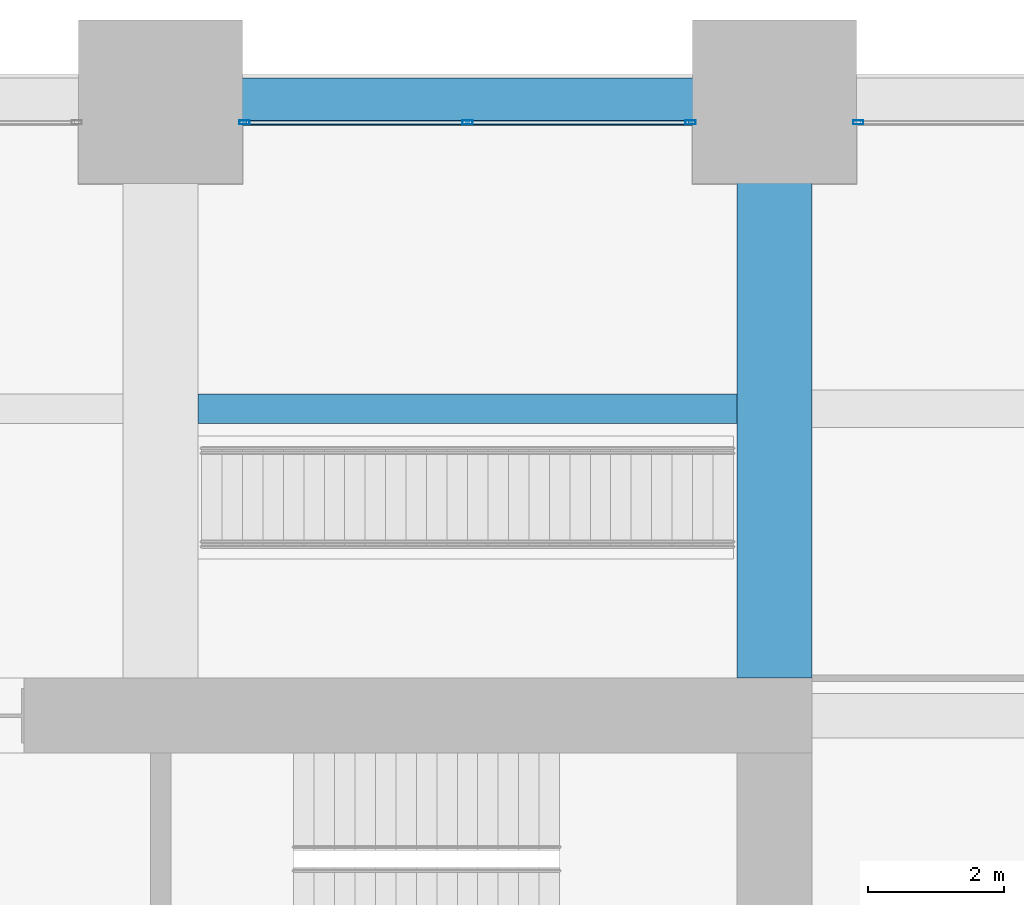
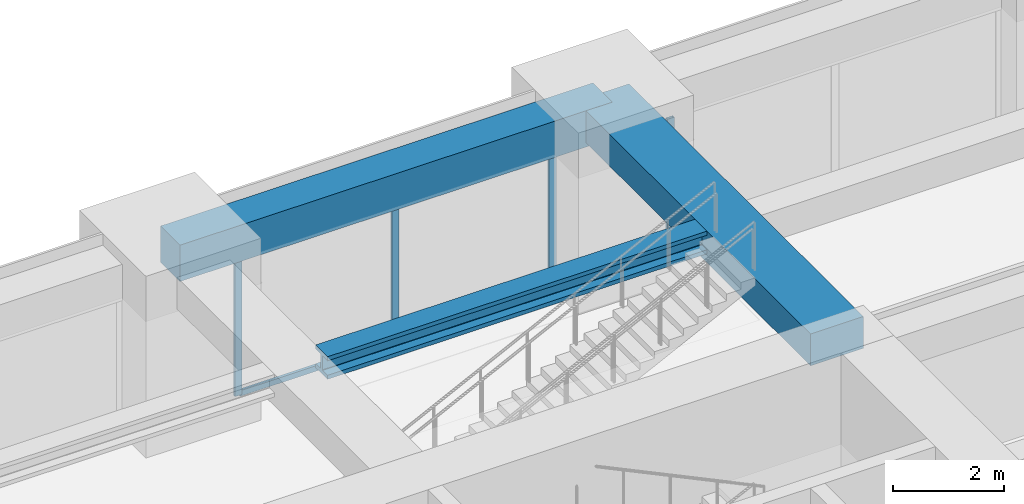
# One storey, part 30 of 41: 5 members, 3 beams, 2 elements without a shape of their own.
"""IFC4 building model written with IfcOpenShell, lengths in metres."""

from ifc_helpers import new_model, si_unit, direction, frame, origin, origin_2d, place, context, subcontext, project, spatial, rectangle, hollow_rectangle, i_section, extrude, material, material_profile, profile_set, type_object, element, aggregate, save


model = new_model("IFC4")

# Units and contexts
model_context = context("Model", 3, precision=1e-05, world=origin(), true_north=direction((0.0, 1.0)))
body_context = subcontext(model_context, "Body", "Model", "MODEL_VIEW")
ifc_project = project(units=[si_unit("LENGTHUNIT", "METRE"), si_unit("AREAUNIT", "SQUARE_METRE"), si_unit("VOLUMEUNIT", "CUBIC_METRE"), si_unit("PLANEANGLEUNIT", "RADIAN"), si_unit("MASSUNIT", "GRAM", prefix="KILO")], contexts=[model_context])

# Site, building, storey
site_placement = place(None, origin())
site = spatial("IfcSite", under=ifc_project, at=site_placement, CompositionType="ELEMENT")
building_placement = place(site_placement, origin())
building = spatial("IfcBuilding", under=site, at=building_placement, Name="Zorevar Civic Tower", CompositionType="ELEMENT")
storey_placement = place(building_placement, frame((0.0, 0.0, 97.0)))
storey = spatial("IfcBuildingStorey", under=building, at=storey_placement, Name="L23", CompositionType="ELEMENT", Elevation=97.0)

# Beam
ifc_material_1 = material(Name="Concrete C50/60", Category="concrete")
ifc_material_profile_1 = material_profile(ifc_material_1, rectangle(XDim=1.10009765625, YDim=0.699951171875, at=origin_2d()), Name="RC 1100x700")
ifc_profile_set_1 = profile_set([ifc_material_profile_1], Name="Concrete C50/60")
beam_type_1 = type_object("IfcBeamType", Name="Beam RC 1100x700", PredefinedType="BEAM", material=ifc_profile_set_1)
beam_1_placement = place(storey_placement, frame((45.0, 36.550048828125, 3.39990234375), z_axis=(0.0, 1.0, 0.0), x_axis=(-1.0, 0.0, 0.0)))
element("IfcBeam", 1, at=beam_1_placement, inside=storey, type_object=beam_type_1, Name="Girder L24", PredefinedType="BEAM", context=body_context, shape_type="SweptSolid", body=[
    extrude(rectangle(XDim=1.10009765625, YDim=0.699951171875, at=origin_2d()), origin(), (0.0, 0.0, 1.0), 8.449951171875),
])

# Curtain wall, members
ifc_material_2 = material(Name="Dark grey solar-control glass in black aluminium frame", Category="aluminium")
curtain_wall_type = type_object("IfcCurtainWallType", Name="Curtain wall CW3 mid zone", PredefinedType="NOTDEFINED", material=ifc_material_2)
curtain_wall_1_placement = place(storey_placement, origin())
curtain_wall_1 = element("IfcCurtainWall", 2, at=curtain_wall_1_placement, inside=storey, type_object=curtain_wall_type, Name="CW3 L23", PredefinedType="NOTDEFINED")
ifc_material_3 = material(Name="Aluminium, black anodised", Category="aluminium")
ifc_material_profile_2 = material_profile(ifc_material_3, hollow_rectangle(XDim=0.06005859375, YDim=0.14990234375, WallThickness=0.00390625, at=origin_2d()), Name="AL 150x60x4")
ifc_profile_set_2 = profile_set([ifc_material_profile_2], Name="Aluminium, black anodised")
member_type_1 = type_object("IfcMemberType", Name="CW3 mullion AL 150x60x4", PredefinedType="MULLION", material=ifc_profile_set_2)
member_1_placement = place(storey_placement, frame((37.22998046875, 44.699951171875, 0.0), z_axis=(0.0, 0.0, 1.0), x_axis=(0.0, 1.0, 0.0)))
member_1 = element("IfcMember", 3, at=member_1_placement, type_object=member_type_1, Name="CW3 mullion 1", PredefinedType="MULLION", context=body_context, shape_type="SweptSolid", body=[
    extrude(hollow_rectangle(XDim=0.06005859375, YDim=0.14990234375, WallThickness=0.00390625, at=origin_2d()), origin(), (0.0, 0.0, 1.0), 2.949951171875),
])
member_2_placement = place(storey_placement, frame((40.5, 44.699951171875, 0.06005859375), z_axis=(0.0, 0.0, 1.0), x_axis=(0.0, 1.0, 0.0)))
member_2 = element("IfcMember", 4, at=member_2_placement, type_object=member_type_1, Name="CW3 mullion 2", PredefinedType="MULLION", context=body_context, shape_type="SweptSolid", body=[
    extrude(hollow_rectangle(XDim=0.06005859375, YDim=0.14990234375, WallThickness=0.00390625, at=origin_2d()), origin(), (0.0, 0.0, 1.0), 2.889892578125),
])
member_3_placement = place(storey_placement, frame((43.77001953125, 44.699951171875, 0.0), z_axis=(0.0, 0.0, 1.0), x_axis=(0.0, 1.0, 0.0)))
member_3 = element("IfcMember", 5, at=member_3_placement, type_object=member_type_1, Name="CW3 mullion 3", PredefinedType="MULLION", context=body_context, shape_type="SweptSolid", body=[
    extrude(hollow_rectangle(XDim=0.06005859375, YDim=0.14990234375, WallThickness=0.00390625, at=origin_2d()), origin(), (0.0, 0.0, 1.0), 2.949951171875),
])

# Curtain wall, member
curtain_wall_2_placement = place(storey_placement, origin())
curtain_wall_2 = element("IfcCurtainWall", 6, at=curtain_wall_2_placement, inside=storey, type_object=curtain_wall_type, Name="CW3 L23", PredefinedType="NOTDEFINED")
member_4_placement = place(storey_placement, frame((46.22998046875, 44.699951171875, 0.0), z_axis=(0.0, 0.0, 1.0), x_axis=(0.0, 1.0, 0.0)))
member_4 = element("IfcMember", 7, at=member_4_placement, type_object=member_type_1, Name="CW3 mullion 1", PredefinedType="MULLION", context=body_context, shape_type="SweptSolid", body=[
    extrude(hollow_rectangle(XDim=0.06005859375, YDim=0.14990234375, WallThickness=0.00390625, at=origin_2d()), origin(), (0.0, 0.0, 1.0), 2.949951171875),
])
aggregate(curtain_wall_2, [member_4])

# Member
ifc_material_4 = material(Name="Aluminium, black anodised", Category="aluminium")
ifc_material_profile_3 = material_profile(ifc_material_4, hollow_rectangle(XDim=0.06005859375, YDim=0.1201171875, WallThickness=0.0029296875, at=origin_2d()), Name="AL 120x60x3")
ifc_profile_set_3 = profile_set([ifc_material_profile_3], Name="Aluminium, black anodised")
member_type_2 = type_object("IfcMemberType", Name="CW3 transom AL 120x60x3", PredefinedType="USERDEFINED", material=ifc_profile_set_3)
member_5_placement = place(storey_placement, frame((37.260009765625, 44.699951171875, 0.030029296875), z_axis=(1.0, 0.0, 0.0), x_axis=(0.0, 1.0, 0.0)))
member_5 = element("IfcMember", 8, at=member_5_placement, type_object=member_type_2, Name="CW3 sill transom", ObjectType="TRANSOM", PredefinedType="USERDEFINED", context=body_context, shape_type="SweptSolid", body=[
    extrude(hollow_rectangle(XDim=0.06005859375, YDim=0.1201171875, WallThickness=0.0029296875, at=origin_2d()), origin(), (0.0, 0.0, 1.0), 6.47998046875),
])

aggregate(curtain_wall_1, [member_1, member_2, member_3, member_5])

# Beams
ifc_material_5 = material(Name="Steel S460M (HISTAR 460)", Category="steel")
ifc_material_profile_4 = material_profile(ifc_material_5, i_section(OverallWidth=0.431884765625, OverallDepth=0.498046875, WebThickness=0.0556640625, FlangeThickness=0.0888671875, FilletRadius=0.014892578125, at=origin_2d()), Name="HD 400x744")
ifc_profile_set_4 = profile_set([ifc_material_profile_4], Name="Steel S460M (HISTAR 460)")
beam_type_2 = type_object("IfcBeamType", Name="Core bay beam HD 400x744", PredefinedType="BEAM", material=ifc_profile_set_4)
beam_2_placement = place(storey_placement, frame((36.550048828125, 40.5, 3.5009765625), z_axis=(1.0, 0.0, 0.0), x_axis=(0.0, 1.0, 0.0)))
element("IfcBeam", 9, at=beam_2_placement, inside=storey, type_object=beam_type_2, Name="Secondary beam L24", PredefinedType="BEAM", context=body_context, shape_type="SweptSolid", body=[
    extrude(i_section(OverallWidth=0.431884765625, OverallDepth=0.498046875, WebThickness=0.0556640625, FlangeThickness=0.0888671875, FilletRadius=0.014892578125, at=origin_2d()), origin(), (0.0, 0.0, 1.0), 7.89990234375),
])
ifc_material_6 = material(Name="Concrete C50/60", Category="concrete")
ifc_material_profile_5 = material_profile(ifc_material_6, rectangle(XDim=0.699951171875, YDim=0.800048828125, at=origin_2d()), Name="RC 700x800")
ifc_profile_set_5 = profile_set([ifc_material_profile_5], Name="Concrete C50/60")
beam_type_3 = type_object("IfcBeamType", Name="Edge beam RC 700x800", PredefinedType="SPANDREL", material=ifc_profile_set_5)
beam_3_placement = place(storey_placement, frame((36.0, 45.0, 3.35009765625), z_axis=(1.0, 0.0, 0.0), x_axis=(0.0, 1.0, 0.0)))
element("IfcBeam", 10, at=beam_3_placement, inside=storey, type_object=beam_type_3, Name="Edge beam L24", PredefinedType="SPANDREL", context=body_context, shape_type="SweptSolid", body=[
    extrude(rectangle(XDim=0.699951171875, YDim=0.800048828125, at=origin_2d()), origin(), (0.0, 0.0, 1.0), 9.0),
])

save(model, "model.ifc")
